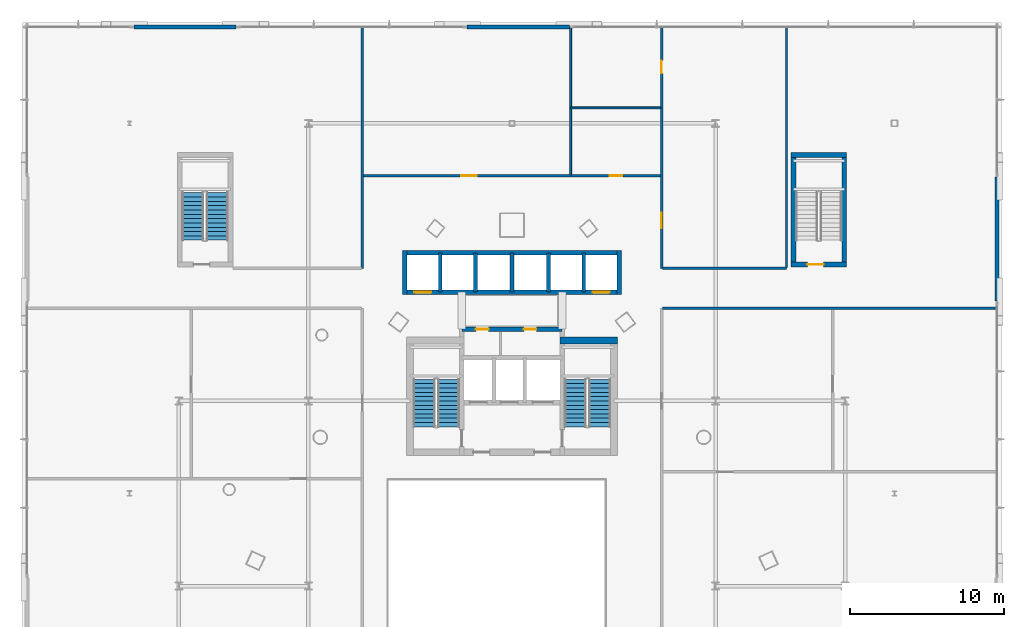
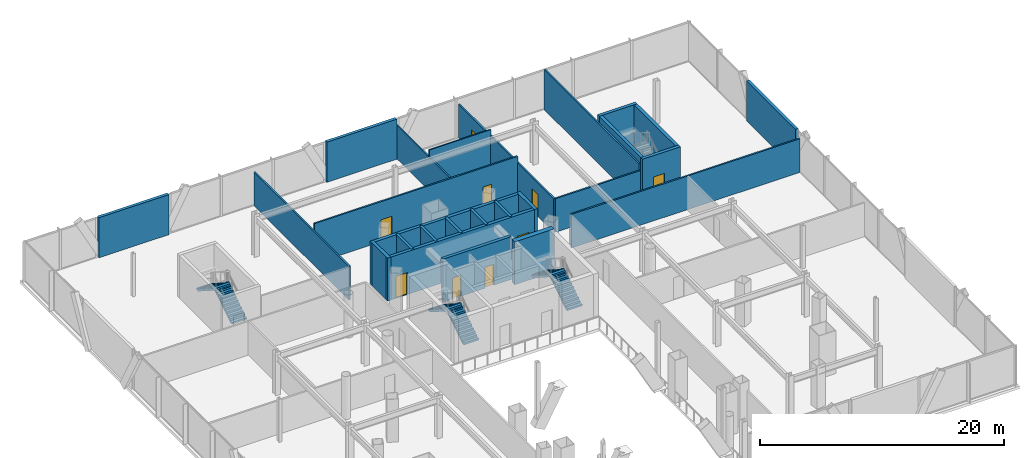
# One storey, part 34 of 42: 26 walls, 9 doors, 6 stair flights, 9 openings, 3 elements without a shape of their own.
"""IFC4 building model written with IfcOpenShell, lengths in metres."""

import ifcopenshell
import ifcopenshell.guid

model = None  # the IFC model being written
_history = None  # IfcOwnerHistory: only IFC2X3 demands one
_inside = {}  # id of a spatial element -> (the spatial element, [elements in it])
_under = {}  # id of a project, library or spatial element -> (it, [spatial elements below it])
_declared = {}  # id of a project -> (the project, [libraries it declares])
_typed = {}  # id of a type object -> (the type object, [elements of that type])
_made_of = {}  # id of a material, layer set ... -> (it, [elements and type objects made of it])


def new_model(schema):
    """Start an empty IFC model of exactly this schema.

    Asked for "IFC4X3", IfcOpenShell would pick the latest addendum, in which some entities
    have other attributes; the version numbers below select the first issue.
    IFC2X3 requires an IfcOwnerHistory on every rooted entity: one is made here for all.
    """
    global model, _history
    if schema == "IFC4X3":
        model = ifcopenshell.file(schema_version=(4, 3, 0, 0))
    else:
        model = ifcopenshell.file(schema=schema)
    _inside.clear()
    _under.clear()
    _declared.clear()
    _typed.clear()
    _made_of.clear()
    _history = None
    if model.schema == "IFC2X3":
        org = make("IfcOrganization", Name="unknown")
        user = make(
            "IfcPersonAndOrganization",
            ThePerson=make("IfcPerson", FamilyName="unknown"),
            TheOrganization=org,
        )
        app = make(
            "IfcApplication",
            ApplicationDeveloper=org,
            Version="unknown",
            ApplicationFullName="unknown",
            ApplicationIdentifier="unknown",
        )
        _history = make(
            "IfcOwnerHistory",
            OwningUser=user,
            OwningApplication=app,
            ChangeAction="ADDED",
            CreationDate=0,
        )
    return model


def make(cls, **values):
    """One entity of the class cls with the attributes given. An attribute that is None is left unset."""
    return model.create_entity(
        cls, **{name: value for name, value in values.items() if value is not None}
    )


def rooted(cls, **values):
    """An entity with a GlobalId (a new one), such as an element, a storey or a relation."""
    return make(cls, GlobalId=ifcopenshell.guid.new(), OwnerHistory=_history, **values)


def si_unit(unit_type, name, prefix=None):
    """IfcSIUnit, for example si_unit("LENGTHUNIT", "METRE", prefix="MILLI")."""
    return make("IfcSIUnit", UnitType=unit_type, Prefix=prefix, Name=name)


def assignment(units):
    """IfcUnitAssignment: the units of a project."""
    return None if units is None else make("IfcUnitAssignment", Units=units)


def point(xyz):
    """IfcCartesianPoint."""
    return None if xyz is None else make("IfcCartesianPoint", Coordinates=xyz)


def direction(xyz):
    """IfcDirection."""
    return None if xyz is None else make("IfcDirection", DirectionRatios=xyz)


def frame(location, z_axis=None, x_axis=None):
    """IfcAxis2Placement3D, a coordinate frame: its origin and axes. An axis left out is left unset."""
    return make(
        "IfcAxis2Placement3D",
        Location=point(location),
        Axis=direction(z_axis),
        RefDirection=direction(x_axis),
    )


def frame_2d(location, x_axis=None):
    """IfcAxis2Placement2D, a coordinate frame in the plane: its origin and x axis."""
    return make(
        "IfcAxis2Placement2D", Location=point(location), RefDirection=direction(x_axis)
    )


def origin():
    """The frame at (0, 0, 0) with its axes left unset."""
    return frame((0.0, 0.0, 0.0))


def place(relative_to, where):
    """IfcLocalPlacement: puts the frame where relative to a parent placement (None: the world)."""
    return make(
        "IfcLocalPlacement", PlacementRelTo=relative_to, RelativePlacement=where
    )


def context(
    kind, dimensions, precision=None, world=None, true_north=None, identifier=None
):
    """IfcGeometricRepresentationContext, for example the 3D "Model" context."""
    return make(
        "IfcGeometricRepresentationContext",
        ContextIdentifier=identifier,
        ContextType=kind,
        CoordinateSpaceDimension=dimensions,
        Precision=precision,
        WorldCoordinateSystem=world,
        TrueNorth=true_north,
    )


def subcontext(parent, identifier, kind, view, scale=None):
    """IfcGeometricRepresentationSubContext, for example "Body" below "Model"."""
    return make(
        "IfcGeometricRepresentationSubContext",
        ContextIdentifier=identifier,
        ContextType=kind,
        ParentContext=parent,
        TargetScale=scale,
        TargetView=view,
    )


def project(units=None, contexts=None):
    """IfcProject with its units and contexts."""
    return rooted(
        "IfcProject",
        Name="project",
        RepresentationContexts=contexts,
        UnitsInContext=assignment(units),
    )


def spatial(cls, under=None, at=None, **own):
    """A site, building, storey or space (cls), placed at a placement, below another one or the project."""
    s = rooted(cls, ObjectPlacement=at, **own)
    if under is not None:
        _under.setdefault(under.id(), (under, []))[1].append(s)
    return s


def polyline(points):
    """IfcPolyline through the points."""
    return make("IfcPolyline", Points=[point(p) for p in points])


def profile(cls, at=None, kind="AREA", **sizes):
    """A parametric profile (cls). Its sizes go by their IFC names, for example OverallWidth=200.0."""
    return make(cls, ProfileType=kind, Position=at, **sizes)


def rectangle(**sizes):
    """IfcRectangleProfileDef."""
    return profile("IfcRectangleProfileDef", **sizes)


def outline(outer, holes=None, kind="AREA"):
    """IfcArbitraryClosedProfileDef: a profile drawn as a closed curve; with holes, ...WithVoids."""
    if holes is None:
        return make("IfcArbitraryClosedProfileDef", ProfileType=kind, OuterCurve=outer)
    return make(
        "IfcArbitraryProfileDefWithVoids",
        ProfileType=kind,
        OuterCurve=outer,
        InnerCurves=holes,
    )


def extrude(swept, where, along, depth):
    """IfcExtrudedAreaSolid: the profile swept, set in the frame where, extruded along a direction by depth."""
    return make(
        "IfcExtrudedAreaSolid",
        SweptArea=swept,
        Position=where,
        ExtrudedDirection=direction(along),
        Depth=depth,
    )


def shape(context_of_items, identifier, shape_type, items):
    """IfcShapeRepresentation: the items that make up one representation, for example the "Body"."""
    return make(
        "IfcShapeRepresentation",
        ContextOfItems=context_of_items,
        RepresentationIdentifier=identifier,
        RepresentationType=shape_type,
        Items=items,
    )


def material(Name=None, Category=None):
    """IfcMaterial."""
    return make("IfcMaterial", Name=Name, Category=Category)


def layer(
    of_material, thickness, ventilated=None, Name=None, Category=None, Priority=None
):
    """IfcMaterialLayer: one layer of a wall or slab, of a material (None: an air gap)."""
    return make(
        "IfcMaterialLayer",
        Material=of_material,
        LayerThickness=thickness,
        IsVentilated=ventilated,
        Name=Name,
        Category=Category,
        Priority=Priority,
    )


def layer_set(layers, Name=None):
    """IfcMaterialLayerSet."""
    return make("IfcMaterialLayerSet", MaterialLayers=layers, LayerSetName=Name)


def made_of(thing, what):
    """Note that an element or type object is made of a material, layer set ...; save() writes the relation."""
    if what is not None:
        _made_of.setdefault(what.id(), (what, []))[1].append(thing)
    return thing


def type_object(cls, material=None, **own):
    """A type object (cls), such as IfcWallType, which elements share."""
    return made_of(rooted(cls, **own), material)


def element(
    cls,
    number,
    at=None,
    inside=None,
    cuts=None,
    type_object=None,
    material=None,
    context=None,
    identifier="Body",
    shape_type=None,
    held_by="IfcProductDefinitionShape",
    body=None,
    shapes=None,
    **own,
):
    """One element of the class cls, such as IfcWall. Its Tag is "e" and its number.

    at: its placement. inside: the storey or other place that contains it. cuts: it is an
    opening in that element (IfcRelVoidsElement). A single representation is given by context,
    identifier, shape_type and body (its items); several are given by shapes. held_by: the class
    of the entity that holds the representations. save() writes the other relations.
    """
    e = rooted(cls, Tag="e%d" % number, ObjectPlacement=at, **own)
    if body is not None:
        shapes = [shape(context, identifier, shape_type, body)]
    if shapes is not None:
        e.Representation = make(held_by, Representations=shapes)
    if inside is not None:
        _inside.setdefault(inside.id(), (inside, []))[1].append(e)
    if cuts is not None:
        rooted(
            "IfcRelVoidsElement", RelatingBuildingElement=cuts, RelatedOpeningElement=e
        )
    if type_object is not None:
        _typed.setdefault(type_object.id(), (type_object, []))[1].append(e)
    return made_of(e, material)


def fill(opening, filler):
    """IfcRelFillsElement: the door or window that sits in an opening."""
    return rooted(
        "IfcRelFillsElement",
        RelatingOpeningElement=opening,
        RelatedBuildingElement=filler,
    )


def aggregate(whole, parts):
    """IfcRelAggregates: a whole, such as a stair, and the parts it consists of."""
    return rooted("IfcRelAggregates", RelatingObject=whole, RelatedObjects=parts)


def save(model, path):
    """Write the relations noted so far, then the file.

    IfcRelAggregates (storeys below a building ...), IfcRelContainedInSpatialStructure (elements
    in a storey), IfcRelDefinesByType, IfcRelAssociatesMaterial and IfcRelDeclares: one each for
    every whole, place, type object, material and project.
    """
    for whole, parts in _under.values():
        aggregate(whole, parts)
    for where, things in _inside.values():
        rooted(
            "IfcRelContainedInSpatialStructure",
            RelatedElements=things,
            RelatingStructure=where,
        )
    for kind, things in _typed.values():
        rooted("IfcRelDefinesByType", RelatedObjects=things, RelatingType=kind)
    for what, things in _made_of.values():
        rooted("IfcRelAssociatesMaterial", RelatedObjects=things, RelatingMaterial=what)
    for by, libraries in _declared.values():
        rooted("IfcRelDeclares", RelatingContext=by, RelatedDefinitions=libraries)
    model.write(path)


model = new_model("IFC4")

# Units and contexts
model_context = context("Model", 3, precision=1e-05, world=origin(), true_north=direction((0.0, 1.0)))
body_context = subcontext(model_context, "Body", "Model", "MODEL_VIEW")
ifc_project = project(units=[si_unit("LENGTHUNIT", "METRE"), si_unit("AREAUNIT", "SQUARE_METRE"), si_unit("VOLUMEUNIT", "CUBIC_METRE"), si_unit("PLANEANGLEUNIT", "RADIAN"), si_unit("MASSUNIT", "GRAM", prefix="KILO")], contexts=[model_context])

# Site, building, storey
site_placement = place(None, origin())
site = spatial("IfcSite", under=ifc_project, at=site_placement, CompositionType="ELEMENT")
building_placement = place(site_placement, origin())
building = spatial("IfcBuilding", under=site, at=building_placement, Name="Orvanel Arch Residences", CompositionType="ELEMENT")
storey_placement = place(building_placement, frame((0.0, 0.0, 5.5)))
storey = spatial("IfcBuildingStorey", under=building, at=storey_placement, Name="L01", CompositionType="ELEMENT", Elevation=5.5)

# Walls
ifc_material_1 = material(Name="Precast concrete N50 (50 MPa)", Category="concrete")
ifc_layer_1 = layer(ifc_material_1, 0.280029296875)
ifc_layer_set_1 = layer_set([ifc_layer_1], Name="Precast concrete N50 (50 MPa)")
wall_type_1 = type_object("IfcWallType", Name="EW-POD-280", PredefinedType="SOLIDWALL", material=ifc_layer_set_1)
wall_1_placement = place(storey_placement, frame((8.47998046875, 54.25, 0.0), z_axis=(0.0, 0.0, 1.0), x_axis=(1.0, 0.0, 0.0)))
element("IfcWall", 1, at=wall_1_placement, inside=storey, type_object=wall_type_1, Name="L01 Podium Solid North Panel Wall NP1", PredefinedType="SOLIDWALL", context=body_context, shape_type="SweptSolid", body=[
    extrude(rectangle(XDim=6.64013671875, YDim=0.280029296875, at=frame_2d((3.320068359375, 0.0))), origin(), (0.0, 0.0, 1.0), 4.02001953125),
])
wall_2_placement = place(storey_placement, frame((30.080078125, 54.25, 0.0), z_axis=(0.0, 0.0, 1.0), x_axis=(1.0, 0.0, 0.0)))
element("IfcWall", 2, at=wall_2_placement, inside=storey, type_object=wall_type_1, Name="L01 Podium Solid North Panel Wall NP2", PredefinedType="SOLIDWALL", context=body_context, shape_type="SweptSolid", body=[
    extrude(rectangle(XDim=6.639892578125, YDim=0.280029296875, at=frame_2d((3.31982421875, 0.0))), origin(), (0.0, 0.0, 1.0), 4.02001953125),
])
wall_3_placement = place(storey_placement, frame((64.449951171875, 36.47998046875, 0.0), z_axis=(0.0, 0.0, 1.0), x_axis=(0.0, 1.0, 0.0)))
element("IfcWall", 3, at=wall_3_placement, inside=storey, type_object=wall_type_1, Name="L01 Podium Solid E Panel Wall 2", PredefinedType="SOLIDWALL", context=body_context, shape_type="SweptSolid", body=[
    extrude(rectangle(XDim=8.0400390625, YDim=0.280029296875, at=frame_2d((4.02001953125, 0.0))), origin(), (0.0, 0.0, 1.0), 4.02001953125),
])
ifc_material_2 = material(Name="Concrete N50 (50 MPa)", Category="concrete")
ifc_layer_2 = layer(ifc_material_2, 0.25)
ifc_layer_set_2 = layer_set([ifc_layer_2], Name="Concrete N50 (50 MPa)")
wall_type_2 = type_object("IfcWallType", Name="SW-CORE-250", PredefinedType="SHEAR", material=ifc_layer_set_2)
for number, where, z_axis, x_axis, name in (
    (4, (28.35009765625, 37.050048828125, 0.0), (0.0, 0.0, 1.0), (0.0, 1.0, 0.0), "L01 Passenger Lift Inter-Shaft Wall P13"),
    (5, (30.625, 37.050048828125, 0.0), (0.0, 0.0, 1.0), (0.0, 1.0, 0.0), "L01 Passenger Lift Inter-Shaft Wall P35"),
    (6, (33.0, 37.050048828125, 0.0), (0.0, 0.0, 1.0), (0.0, 1.0, 0.0), "L01 Passenger Lift Inter-Shaft Wall P56"),
    (7, (35.375, 37.050048828125, 0.0), (0.0, 0.0, 1.0), (0.0, 1.0, 0.0), "L01 Passenger Lift Inter-Shaft Wall P64"),
    (8, (37.64990234375, 37.050048828125, 0.0), (0.0, 0.0, 1.0), (0.0, 1.0, 0.0), "L01 Passenger Lift Inter-Shaft Wall P42"),
):
    element("IfcWall", number, at=place(storey_placement, frame(where, z_axis=z_axis, x_axis=x_axis)), inside=storey, type_object=wall_type_2, Name=name, PredefinedType="SHEAR", context=body_context, shape_type="SweptSolid", body=[
        extrude(rectangle(XDim=2.550048828125, YDim=0.25, at=frame_2d((1.27490234375, 0.0))), origin(), (0.0, 0.0, 1.0), 4.300048828125),
    ])

# Wall, openings, doors
ifc_material_3 = material(Name="Concrete S80 (80 MPa)", Category="concrete")
ifc_layer_3 = layer(ifc_material_3, 0.300048828125)
ifc_layer_set_3 = layer_set([ifc_layer_3], Name="Concrete S80 (80 MPa)")
wall_type_3 = type_object("IfcWallType", Name="SW-CORE-300", PredefinedType="SHEAR", material=ifc_layer_set_3)
wall_4_placement = place(storey_placement, frame((29.75, 34.64990234375, 0.0), z_axis=(0.0, 0.0, 1.0), x_axis=(1.0, 0.0, 0.0)))
wall_4 = element("IfcWall", 9, at=wall_4_placement, inside=storey, type_object=wall_type_3, Name="L01 Core Service Band North Shear Wall", PredefinedType="SHEAR", context=body_context, shape_type="SweptSolid", body=[
    extrude(rectangle(XDim=6.5, YDim=0.300048828125, at=frame_2d((3.25, 0.0))), origin(), (0.0, 0.0, 1.0), 4.300048828125),
])
opening_1_placement = place(wall_4_placement, frame((0.9150390625, 0.0, 0.0)))
opening_1 = element("IfcOpeningElement", 10, at=opening_1_placement, cuts=wall_4, Name="Opening DS-082", PredefinedType="OPENING", context=body_context, shape_type="SweptSolid", body=[
    extrude(rectangle(XDim=0.820068359375, YDim=2.10009765625, at=frame_2d((0.41015625, 1.050048828125))), frame((0.0, 0.159912109375, 0.0), z_axis=(0.0, -1.0, 0.0), x_axis=(1.0, 0.0, 0.0)), (0.0, 0.0, 1.0), 0.320068359375),
])
opening_2_placement = place(wall_4_placement, frame((4.014892578125, 0.0, 0.0)))
opening_2 = element("IfcOpeningElement", 11, at=opening_2_placement, cuts=wall_4, Name="Opening DW-082", PredefinedType="OPENING", context=body_context, shape_type="SweptSolid", body=[
    extrude(rectangle(XDim=0.820068359375, YDim=2.10009765625, at=frame_2d((0.41015625, 1.050048828125))), frame((0.0, 0.159912109375, 0.0), z_axis=(0.0, -1.0, 0.0), x_axis=(1.0, 0.0, 0.0)), (0.0, 0.0, 1.0), 0.320068359375),
])
ifc_material_4 = material(Name="Galvanised steel fire-resisting door assembly", Category="steel")
door_type_1 = type_object("IfcDoorType", Name="DR-SVC-820", OperationType="NOTDEFINED", PredefinedType="DOOR", material=ifc_material_4)
door_1_placement = place(opening_1_placement, origin())
door_1 = element("IfcDoor", 12, at=door_1_placement, inside=storey, type_object=door_type_1, Name="DR-L01-CSVC-1 L01 Floor Cleaner's Store Door", OperationType="SINGLE_SWING_LEFT", OverallHeight=2.10009765625, OverallWidth=0.820068359375, PredefinedType="DOOR", context=body_context, shape_type="SweptSolid", body=[
    extrude(rectangle(XDim=0.820068359375, YDim=2.10009765625, at=frame_2d((0.41015625, 1.050048828125))), frame((0.0, 0.02490234375, 0.0), z_axis=(0.0, -1.0, 0.0), x_axis=(1.0, 0.0, 0.0)), (0.0, 0.0, 1.0), 0.050048828125),
])
fill(opening_1, door_1)
ifc_material_5 = material(Name="Solid-core European oak veneer fire door leaf", Category="wood")
door_type_2 = type_object("IfcDoorType", Name="DR-WET-820", OperationType="NOTDEFINED", PredefinedType="DOOR", material=ifc_material_5)
door_2_placement = place(opening_2_placement, origin())
door_2 = element("IfcDoor", 13, at=door_2_placement, inside=storey, type_object=door_type_2, Name="DR-L01-CSVC-2 L01 Core Accessible WC Door", OperationType="SINGLE_SWING_LEFT", OverallHeight=2.10009765625, OverallWidth=0.820068359375, PredefinedType="DOOR", context=body_context, shape_type="SweptSolid", body=[
    extrude(rectangle(XDim=0.820068359375, YDim=2.10009765625, at=frame_2d((0.41015625, 1.050048828125))), frame((0.0, 0.02490234375, 0.0), z_axis=(0.0, -1.0, 0.0), x_axis=(1.0, 0.0, 0.0)), (0.0, 0.0, 1.0), 0.050048828125),
])
fill(opening_2, door_2)

wall_5_placement = place(storey_placement, frame((40.10009765625, 37.050048828125, 0.0), z_axis=(0.0, 0.0, 1.0), x_axis=(-1.0, 0.0, 0.0)))
wall_5 = element("IfcWall", 14, at=wall_5_placement, inside=storey, type_object=wall_type_3, Name="L01 Passenger Lift Bank Front Shear Wall", PredefinedType="SHEAR", context=body_context, shape_type="SweptSolid", body=[
    extrude(rectangle(XDim=14.2001953125, YDim=0.300048828125, at=frame_2d((7.10009765625, 0.0))), origin(), (0.0, 0.0, 1.0), 4.300048828125),
])
opening_3_placement = place(wall_5_placement, frame((12.324951171875, 0.0, 0.0)))
opening_3 = element("IfcOpeningElement", 15, at=opening_3_placement, cuts=wall_5, Name="Opening LD-110", PredefinedType="OPENING", context=body_context, shape_type="SweptSolid", body=[
    extrude(rectangle(XDim=1.10009765625, YDim=2.199951171875, at=frame_2d((0.550048828125, 1.10009765625))), frame((0.0, 0.159912109375, 0.0), z_axis=(0.0, -1.0, 0.0), x_axis=(1.0, 0.0, 0.0)), (0.0, 0.0, 1.0), 0.320068359375),
])
opening_4_placement = place(wall_5_placement, frame((0.77490234375, 0.0, 0.0)))
opening_4 = element("IfcOpeningElement", 16, at=opening_4_placement, cuts=wall_5, Name="Opening LD-110", PredefinedType="OPENING", context=body_context, shape_type="SweptSolid", body=[
    extrude(rectangle(XDim=1.10009765625, YDim=2.199951171875, at=frame_2d((0.550048828125, 1.10009765625))), frame((0.0, 0.159912109375, 0.0), z_axis=(0.0, -1.0, 0.0), x_axis=(1.0, 0.0, 0.0)), (0.0, 0.0, 1.0), 0.320068359375),
])
door_type_3 = type_object("IfcDoorType", Name="DR-LFT-1100", OperationType="NOTDEFINED", PredefinedType="DOOR", material=ifc_material_4)
door_3_placement = place(opening_3_placement, origin())
door_3 = element("IfcDoor", 17, at=door_3_placement, inside=storey, type_object=door_type_3, Name="LD-P1-L01 L01 Passenger Lift P1 Sliding Landing Door", OperationType="DOUBLE_DOOR_SLIDING", OverallHeight=2.199951171875, OverallWidth=1.10009765625, PredefinedType="DOOR", context=body_context, shape_type="SweptSolid", body=[
    extrude(rectangle(XDim=1.10009765625, YDim=2.199951171875, at=frame_2d((0.550048828125, 1.10009765625))), frame((0.0, 0.02490234375, 0.0), z_axis=(0.0, -1.0, 0.0), x_axis=(1.0, 0.0, 0.0)), (0.0, 0.0, 1.0), 0.050048828125),
])
fill(opening_3, door_3)
door_4_placement = place(opening_4_placement, origin())
door_4 = element("IfcDoor", 18, at=door_4_placement, inside=storey, type_object=door_type_3, Name="LD-P2-L01 L01 Passenger Lift P2 Sliding Landing Door", OperationType="DOUBLE_DOOR_SLIDING", OverallHeight=2.199951171875, OverallWidth=1.10009765625, PredefinedType="DOOR", context=body_context, shape_type="SweptSolid", body=[
    extrude(rectangle(XDim=1.10009765625, YDim=2.199951171875, at=frame_2d((0.550048828125, 1.10009765625))), frame((0.0, 0.02490234375, 0.0), z_axis=(0.0, -1.0, 0.0), x_axis=(1.0, 0.0, 0.0)), (0.0, 0.0, 1.0), 0.050048828125),
])
fill(opening_4, door_4)

# Walls
wall_6_placement = place(storey_placement, frame((25.89990234375, 39.60009765625, 0.0), z_axis=(0.0, 0.0, 1.0), x_axis=(1.0, 0.0, 0.0)))
element("IfcWall", 19, at=wall_6_placement, inside=storey, type_object=wall_type_3, Name="L01 Passenger Lift Bank North Shear Wall", PredefinedType="SHEAR", context=body_context, shape_type="SweptSolid", body=[
    extrude(rectangle(XDim=14.2001953125, YDim=0.300048828125, at=frame_2d((7.10009765625, 0.0))), origin(), (0.0, 0.0, 1.0), 4.300048828125),
])
for number, where, z_axis, x_axis, name in (
    (20, (26.050048828125, 36.89990234375, 0.0), (0.0, 0.0, 1.0), (0.0, 1.0, 0.0), "L01 Passenger Lift Bank West Shear Wall"),
    (21, (39.949951171875, 36.89990234375, 0.0), (0.0, 0.0, 1.0), (0.0, 1.0, 0.0), "L01 Passenger Lift Bank East Shear Wall"),
):
    element("IfcWall", number, at=place(storey_placement, frame(where, z_axis=z_axis, x_axis=x_axis)), inside=storey, type_object=wall_type_3, Name=name, PredefinedType="SHEAR", context=body_context, shape_type="SweptSolid", body=[
        extrude(rectangle(XDim=2.85009765625, YDim=0.300048828125, at=frame_2d((1.425048828125, 0.0))), origin(), (0.0, 0.0, 1.0), 4.300048828125),
    ])
for number, where, z_axis, x_axis, name in (
    (22, (51.25, 38.699951171875, 0.0), (0.0, 0.0, 1.0), (0.0, 1.0, 0.0), "L01 ST4 West Shear Wall"),
    (23, (54.550048828125, 38.699951171875, 0.0), (0.0, 0.0, 1.0), (0.0, 1.0, 0.0), "L01 ST4 East Shear Wall"),
):
    element("IfcWall", number, at=place(storey_placement, frame(where, z_axis=z_axis, x_axis=x_axis)), inside=storey, type_object=wall_type_3, Name=name, PredefinedType="SHEAR", context=body_context, shape_type="SweptSolid", body=[
        extrude(rectangle(XDim=7.400146484375, YDim=0.300048828125, at=frame_2d((3.7001953125, 0.0))), origin(), (0.0, 0.0, 1.0), 4.300048828125),
    ])
wall_7_placement = place(storey_placement, frame((51.10009765625, 45.949951171875, 0.0), z_axis=(0.0, 0.0, 1.0), x_axis=(1.0, 0.0, 0.0)))
element("IfcWall", 24, at=wall_7_placement, inside=storey, type_object=wall_type_3, Name="L01 ST4 North Shear Wall", PredefinedType="SHEAR", context=body_context, shape_type="SweptSolid", body=[
    extrude(rectangle(XDim=3.599853515625, YDim=0.300048828125, at=frame_2d((1.7998046875, 0.0))), origin(), (0.0, 0.0, 1.0), 4.300048828125),
])

# Wall, opening, door
wall_8_placement = place(storey_placement, frame((51.10009765625, 38.85009765625, 0.0), z_axis=(0.0, 0.0, 1.0), x_axis=(1.0, 0.0, 0.0)))
wall_8 = element("IfcWall", 25, at=wall_8_placement, inside=storey, type_object=wall_type_3, Name="L01 ST4 South Shear Wall", PredefinedType="SHEAR", context=body_context, shape_type="SweptSolid", body=[
    extrude(rectangle(XDim=3.599853515625, YDim=0.300048828125, at=frame_2d((1.7998046875, 0.0))), origin(), (0.0, 0.0, 1.0), 4.300048828125),
])
opening_5_placement = place(wall_8_placement, frame((1.050048828125, 0.0, 0.0)))
opening_5 = element("IfcOpeningElement", 26, at=opening_5_placement, cuts=wall_8, Name="Opening DF-120", PredefinedType="OPENING", context=body_context, shape_type="SweptSolid", body=[
    extrude(rectangle(XDim=1.050048828125, YDim=2.14990234375, at=frame_2d((0.52490234375, 1.074951171875))), frame((0.0, 0.159912109375, 0.0), z_axis=(0.0, -1.0, 0.0), x_axis=(1.0, 0.0, 0.0)), (0.0, 0.0, 1.0), 0.320068359375),
])
door_type_4 = type_object("IfcDoorType", Name="DR-FD120-1050", OperationType="NOTDEFINED", PredefinedType="DOOR", material=ifc_material_4)
door_5_placement = place(opening_5_placement, origin())
door_5 = element("IfcDoor", 27, at=door_5_placement, inside=storey, type_object=door_type_4, Name="DR-L01-ST4 L01 ST4 Exit Door", OperationType="SINGLE_SWING_LEFT", OverallHeight=2.14990234375, OverallWidth=1.050048828125, PredefinedType="DOOR", context=body_context, shape_type="SweptSolid", body=[
    extrude(rectangle(XDim=1.050048828125, YDim=2.14990234375, at=frame_2d((0.52490234375, 1.074951171875))), frame((0.0, 0.02490234375, 0.0), z_axis=(0.0, -1.0, 0.0), x_axis=(1.0, 0.0, 0.0)), (0.0, 0.0, 1.0), 0.050048828125),
])
fill(opening_5, door_5)

# Walls
ifc_layer_4 = layer(ifc_material_3, 0.449951171875)
ifc_layer_set_4 = layer_set([ifc_layer_4], Name="Concrete S80 (80 MPa)")
wall_type_4 = type_object("IfcWallType", Name="SW-CORE-450", PredefinedType="SHEAR", material=ifc_layer_set_4)
wall_9_placement = place(storey_placement, frame((36.10009765625, 33.925048828125, 0.0), z_axis=(0.0, 0.0, 1.0), x_axis=(1.0, 0.0, 0.0)))
element("IfcWall", 28, at=wall_9_placement, inside=storey, type_object=wall_type_4, Name="L01 East Stair North Shear Wall", PredefinedType="SHEAR", context=body_context, shape_type="SweptSolid", body=[
    extrude(rectangle(XDim=3.75, YDim=0.449951171875, at=frame_2d((1.875, 0.0))), origin(), (0.0, 0.0, 1.0), 4.300048828125),
])
ifc_material_6 = material(Name="Acoustic plasterboard lined twin-stud partition", Category="gypsum")
ifc_layer_5 = layer(ifc_material_6, 0.14990234375)
ifc_layer_set_5 = layer_set([ifc_layer_5], Name="Acoustic plasterboard lined twin-stud partition")
wall_type_5 = type_object("IfcWallType", Name="W-POD-150", PredefinedType="PARTITIONING", material=ifc_layer_set_5)
wall_10_placement = place(storey_placement, frame((42.760009765625, 36.0, 0.0), z_axis=(0.0, 0.0, 1.0), x_axis=(1.0, 0.0, 0.0)))
element("IfcWall", 29, at=wall_10_placement, inside=storey, type_object=wall_type_5, Name="L01 East Wing North Wall", PredefinedType="PARTITIONING", context=body_context, shape_type="SweptSolid", body=[
    extrude(rectangle(XDim=21.675048828125, YDim=0.14990234375, at=frame_2d((10.83740234375, 0.0))), origin(), (0.0, 0.0, 1.0), 3.373046875),
])
wall_11_placement = place(storey_placement, frame((23.300048828125, 38.60009765625, 0.0), z_axis=(0.0, 0.0, 1.0), x_axis=(0.0, 1.0, 0.0)))
element("IfcWall", 30, at=wall_11_placement, inside=storey, type_object=wall_type_5, Name="L01 W Outer Corridor Wall", PredefinedType="PARTITIONING", context=body_context, shape_type="SweptSolid", body=[
    extrude(rectangle(XDim=15.635009765625, YDim=0.14990234375, at=frame_2d((7.8173828125, 0.0))), origin(), (0.0, 0.0, 1.0), 3.373046875),
])

# Wall, openings, doors
wall_12_placement = place(storey_placement, frame((42.699951171875, 38.60009765625, 0.0), z_axis=(0.0, 0.0, 1.0), x_axis=(0.0, 1.0, 0.0)))
wall_12 = element("IfcWall", 31, at=wall_12_placement, inside=storey, type_object=wall_type_5, Name="L01 E Outer Corridor Wall", PredefinedType="PARTITIONING", context=body_context, shape_type="SweptSolid", body=[
    extrude(rectangle(XDim=15.635009765625, YDim=0.14990234375, at=frame_2d((7.8173828125, 0.0))), origin(), (0.0, 0.0, 1.0), 3.373046875),
])
opening_6_placement = place(wall_12_placement, frame((12.639892578125, 0.0, 0.0)))
opening_6 = element("IfcOpeningElement", 32, at=opening_6_placement, cuts=wall_12, Name="Opening DS-082", PredefinedType="OPENING", context=body_context, shape_type="SweptSolid", body=[
    extrude(rectangle(XDim=0.820068359375, YDim=2.10009765625, at=frame_2d((0.41015625, 1.050048828125))), frame((0.0, 0.0849609375, 0.0), z_axis=(0.0, -1.0, 0.0), x_axis=(1.0, 0.0, 0.0)), (0.0, 0.0, 1.0), 0.169921875),
])
opening_7_placement = place(wall_12_placement, frame((2.60009765625, 0.0, 0.0)))
opening_7 = element("IfcOpeningElement", 33, at=opening_7_placement, cuts=wall_12, Name="Opening DP-100", PredefinedType="OPENING", context=body_context, shape_type="SweptSolid", body=[
    extrude(rectangle(XDim=1.0, YDim=2.199951171875, at=frame_2d((0.5, 1.10009765625))), frame((0.0, 0.0849609375, 0.0), z_axis=(0.0, -1.0, 0.0), x_axis=(1.0, 0.0, 0.0)), (0.0, 0.0, 1.0), 0.169921875),
])
door_type_5 = type_object("IfcDoorType", Name="DR-POD-1000", OperationType="NOTDEFINED", PredefinedType="DOOR", material=ifc_material_5)
door_6_placement = place(opening_7_placement, origin())
door_6 = element("IfcDoor", 34, at=door_6_placement, inside=storey, type_object=door_type_5, Name="DR-L01-NE L01 Clinical Sterile Store Door", OperationType="SINGLE_SWING_LEFT", OverallHeight=2.199951171875, OverallWidth=1.0, PredefinedType="DOOR", context=body_context, shape_type="SweptSolid", body=[
    extrude(rectangle(XDim=1.0, YDim=2.199951171875, at=frame_2d((0.5, 1.10009765625))), frame((0.0, 0.02490234375, 0.0), z_axis=(0.0, -1.0, 0.0), x_axis=(1.0, 0.0, 0.0)), (0.0, 0.0, 1.0), 0.050048828125),
])
fill(opening_7, door_6)
door_7_placement = place(opening_6_placement, origin())
door_7 = element("IfcDoor", 35, at=door_7_placement, inside=storey, type_object=door_type_1, Name="DR-L01-JAN L01 Cleaners Door", OperationType="SINGLE_SWING_LEFT", OverallHeight=2.10009765625, OverallWidth=0.820068359375, PredefinedType="DOOR", context=body_context, shape_type="SweptSolid", body=[
    extrude(rectangle(XDim=0.820068359375, YDim=2.10009765625, at=frame_2d((0.41015625, 1.050048828125))), frame((0.0, 0.02490234375, 0.0), z_axis=(0.0, -1.0, 0.0), x_axis=(1.0, 0.0, 0.0)), (0.0, 0.0, 1.0), 0.050048828125),
])
fill(opening_6, door_7)

# Walls
wall_13_placement = place(storey_placement, frame((42.760009765625, 38.60009765625, 0.0), z_axis=(0.0, 0.0, 1.0), x_axis=(1.0, 0.0, 0.0)))
element("IfcWall", 36, at=wall_13_placement, inside=storey, type_object=wall_type_5, Name="L01 NE Suite South Wall", PredefinedType="PARTITIONING", context=body_context, shape_type="SweptSolid", body=[
    extrude(rectangle(XDim=8.0400390625, YDim=0.14990234375, at=frame_2d((4.02001953125, 0.0))), origin(), (0.0, 0.0, 1.0), 3.373046875),
])
wall_14_placement = place(storey_placement, frame((50.800048828125, 38.659912109375, 0.0), z_axis=(0.0, 0.0, 1.0), x_axis=(0.0, 1.0, 0.0)))
element("IfcWall", 37, at=wall_14_placement, inside=storey, type_object=wall_type_5, Name="L01 NE Suite East Wall", PredefinedType="PARTITIONING", context=body_context, shape_type="SweptSolid", body=[
    extrude(rectangle(XDim=15.5751953125, YDim=0.14990234375, at=frame_2d((7.78759765625, 0.0))), origin(), (0.0, 0.0, 1.0), 4.02001953125),
])

# Wall, openings, doors
wall_15_placement = place(storey_placement, frame((23.360107421875, 44.60009765625, 0.0), z_axis=(0.0, 0.0, 1.0), x_axis=(1.0, 0.0, 0.0)))
wall_15 = element("IfcWall", 38, at=wall_15_placement, inside=storey, type_object=wall_type_5, Name="L01 N Corridor Wall", PredefinedType="PARTITIONING", context=body_context, shape_type="SweptSolid", body=[
    extrude(rectangle(XDim=19.27978515625, YDim=0.14990234375, at=frame_2d((9.639892578125, 0.0))), origin(), (0.0, 0.0, 1.0), 4.02001953125),
])
opening_8_placement = place(wall_15_placement, frame((6.340087890625, 0.0, 0.0)))
opening_8 = element("IfcOpeningElement", 39, at=opening_8_placement, cuts=wall_15, Name="Opening DP-100", PredefinedType="OPENING", context=body_context, shape_type="SweptSolid", body=[
    extrude(rectangle(XDim=1.0, YDim=2.199951171875, at=frame_2d((0.5, 1.10009765625))), frame((0.0, 0.0849609375, 0.0), z_axis=(0.0, -1.0, 0.0), x_axis=(1.0, 0.0, 0.0)), (0.0, 0.0, 1.0), 0.169921875),
])
opening_9_placement = place(wall_15_placement, frame((15.97998046875, 0.0, 0.0)))
opening_9 = element("IfcOpeningElement", 40, at=opening_9_placement, cuts=wall_15, Name="Opening DW-082", PredefinedType="OPENING", context=body_context, shape_type="SweptSolid", body=[
    extrude(rectangle(XDim=0.820068359375, YDim=2.10009765625, at=frame_2d((0.41015625, 1.050048828125))), frame((0.0, 0.0849609375, 0.0), z_axis=(0.0, -1.0, 0.0), x_axis=(1.0, 0.0, 0.0)), (0.0, 0.0, 1.0), 0.169921875),
])
door_8_placement = place(opening_8_placement, origin())
door_8 = element("IfcDoor", 41, at=door_8_placement, inside=storey, type_object=door_type_5, Name="DR-L01-N L01 Diagnostic Imaging Suite Door", OperationType="SINGLE_SWING_LEFT", OverallHeight=2.199951171875, OverallWidth=1.0, PredefinedType="DOOR", context=body_context, shape_type="SweptSolid", body=[
    extrude(rectangle(XDim=1.0, YDim=2.199951171875, at=frame_2d((0.5, 1.10009765625))), frame((0.0, 0.02490234375, 0.0), z_axis=(0.0, -1.0, 0.0), x_axis=(1.0, 0.0, 0.0)), (0.0, 0.0, 1.0), 0.050048828125),
])
fill(opening_8, door_8)
door_9_placement = place(opening_9_placement, origin())
door_9 = element("IfcDoor", 42, at=door_9_placement, inside=storey, type_object=door_type_2, Name="DR-L01-WC L01 Accessible WC Door", OperationType="SINGLE_SWING_RIGHT", OverallHeight=2.10009765625, OverallWidth=0.820068359375, PredefinedType="DOOR", context=body_context, shape_type="SweptSolid", body=[
    extrude(rectangle(XDim=0.820068359375, YDim=2.10009765625, at=frame_2d((0.41015625, 1.050048828125))), frame((0.0, 0.02490234375, 0.0), z_axis=(0.0, -1.0, 0.0), x_axis=(1.0, 0.0, 0.0)), (0.0, 0.0, 1.0), 0.050048828125),
])
fill(opening_9, door_9)

# Walls
ifc_layer_6 = layer(ifc_material_6, 0.1201171875)
ifc_layer_set_6 = layer_set([ifc_layer_6], Name="Acoustic plasterboard lined twin-stud partition")
wall_type_6 = type_object("IfcWallType", Name="W-WET-120", PredefinedType="PARTITIONING", material=ifc_layer_set_6)
wall_16_placement = place(storey_placement, frame((36.800048828125, 44.659912109375, 0.0), z_axis=(0.0, 0.0, 1.0), x_axis=(0.0, 1.0, 0.0)))
element("IfcWall", 43, at=wall_16_placement, inside=storey, type_object=wall_type_6, Name="L01 WC West Wall", PredefinedType="PARTITIONING", context=body_context, shape_type="SweptSolid", body=[
    extrude(rectangle(XDim=9.5751953125, YDim=0.1201171875, at=frame_2d((4.78759765625, 0.0))), origin(), (0.0, 0.0, 1.0), 3.373046875),
])
wall_17_placement = place(storey_placement, frame((36.800048828125, 49.0, 0.0), z_axis=(0.0, 0.0, 1.0), x_axis=(1.0, 0.0, 0.0)))
element("IfcWall", 44, at=wall_17_placement, inside=storey, type_object=wall_type_6, Name="L01 WC North Wall", PredefinedType="PARTITIONING", context=body_context, shape_type="SweptSolid", body=[
    extrude(rectangle(XDim=5.83984375, YDim=0.1201171875, at=frame_2d((2.919921875, 0.0))), origin(), (0.0, 0.0, 1.0), 4.02001953125),
])

# Stair, stair flights
stair_type = type_object("IfcStairType", Name="STR-DOG-178", PredefinedType="USERDEFINED", material=ifc_material_1)
stair_1_placement = place(storey_placement, origin())
stair_1 = element("IfcStair", 45, at=stair_1_placement, inside=storey, type_object=stair_type, Name="L01 Fire-Isolated Core Exit Stair 1", ObjectType="TWO_RETURN_STAIR", PredefinedType="USERDEFINED")
stair_flight_type_1 = type_object("IfcStairFlightType", Name="SFL-C1-178", PredefinedType="STRAIGHT", material=ifc_material_1)
stair_flight_1_placement = place(storey_placement, frame((28.889892578125, 28.320068359375, 0.0), z_axis=(0.0, 0.0, 1.0), x_axis=(0.0, 1.0, 0.0)))
stair_flight_1 = element("IfcStairFlight", 46, at=stair_flight_1_placement, type_object=stair_flight_type_1, Name="ST-1 flight 1", NumberOfRisers=12, NumberOfTreads=11, PredefinedType="STRAIGHT", RiserHeight=0.179166667, TreadLength=0.28, context=body_context, shape_type="SweptSolid", body=[
    extrude(outline(polyline([(0.0, 0.0), (0.0, 0.17919921875), (0.280029296875, 0.17919921875), (0.280029296875, 0.3583984375), (0.56005859375, 0.3583984375), (0.56005859375, 0.53759765625), (0.840087890625, 0.53759765625), (0.840087890625, 0.716552734375), (1.1201171875, 0.716552734375), (1.1201171875, 0.895751953125), (1.39990234375, 0.895751953125), (1.39990234375, 1.074951171875), (1.679931640625, 1.074951171875), (1.679931640625, 1.254150390625), (1.9599609375, 1.254150390625), (1.9599609375, 1.433349609375), (2.239990234375, 1.433349609375), (2.239990234375, 1.612548828125), (2.52001953125, 1.612548828125), (2.52001953125, 1.791748046875), (2.800048828125, 1.791748046875), (2.800048828125, 1.970947265625), (3.080078125, 1.970947265625), (3.080078125, 2.14990234375), (3.080078125, 1.79296875), (0.278076171875, 0.0), (0.0, 0.0)])), frame((0.0, 0.7099609375, 0.0), z_axis=(0.0, -1.0, 0.0), x_axis=(1.0, 0.0, 0.0)), (0.0, 0.0, 1.0), 1.419921875),
])
stair_flight_2_placement = place(storey_placement, frame((27.31005859375, 31.39990234375, 2.14990234375), z_axis=(0.0, 0.0, 1.0), x_axis=(0.0, -1.0, 0.0)))
stair_flight_2 = element("IfcStairFlight", 47, at=stair_flight_2_placement, type_object=stair_flight_type_1, Name="ST-1 flight 2", NumberOfRisers=12, NumberOfTreads=11, PredefinedType="STRAIGHT", RiserHeight=0.179166667, TreadLength=0.28, context=body_context, shape_type="SweptSolid", body=[
    extrude(outline(polyline([(0.0, 0.0), (0.0, 0.17919921875), (0.280029296875, 0.17919921875), (0.280029296875, 0.3583984375), (0.56005859375, 0.3583984375), (0.56005859375, 0.53759765625), (0.840087890625, 0.53759765625), (0.840087890625, 0.716552734375), (1.1201171875, 0.716552734375), (1.1201171875, 0.895751953125), (1.39990234375, 0.895751953125), (1.39990234375, 1.074951171875), (1.679931640625, 1.074951171875), (1.679931640625, 1.254150390625), (1.9599609375, 1.254150390625), (1.9599609375, 1.433349609375), (2.239990234375, 1.433349609375), (2.239990234375, 1.612548828125), (2.52001953125, 1.612548828125), (2.52001953125, 1.791748046875), (2.800048828125, 1.791748046875), (2.800048828125, 1.970947265625), (3.080078125, 1.970947265625), (3.080078125, 2.14990234375), (3.080078125, 1.79296875), (0.278076171875, 0.0), (0.0, 0.0)])), frame((0.0, 0.7099609375, 0.0), z_axis=(0.0, -1.0, 0.0), x_axis=(1.0, 0.0, 0.0)), (0.0, 0.0, 1.0), 1.419921875),
])
aggregate(stair_1, [stair_flight_1, stair_flight_2])

stair_2_placement = place(storey_placement, origin())
stair_2 = element("IfcStair", 48, at=stair_2_placement, inside=storey, type_object=stair_type, Name="L01 Fire-Isolated Core Exit Stair 2", ObjectType="TWO_RETURN_STAIR", PredefinedType="USERDEFINED")
stair_flight_type_2 = type_object("IfcStairFlightType", Name="SFL-C2-178", PredefinedType="STRAIGHT", material=ifc_material_1)
stair_flight_3_placement = place(storey_placement, frame((38.68994140625, 28.320068359375, 0.0), z_axis=(0.0, 0.0, 1.0), x_axis=(0.0, 1.0, 0.0)))
stair_flight_3 = element("IfcStairFlight", 49, at=stair_flight_3_placement, type_object=stair_flight_type_2, Name="ST-2 flight 1", NumberOfRisers=12, NumberOfTreads=11, PredefinedType="STRAIGHT", RiserHeight=0.179166667, TreadLength=0.28, context=body_context, shape_type="SweptSolid", body=[
    extrude(outline(polyline([(0.0, 0.0), (0.0, 0.17919921875), (0.280029296875, 0.17919921875), (0.280029296875, 0.3583984375), (0.56005859375, 0.3583984375), (0.56005859375, 0.53759765625), (0.840087890625, 0.53759765625), (0.840087890625, 0.716552734375), (1.1201171875, 0.716552734375), (1.1201171875, 0.895751953125), (1.39990234375, 0.895751953125), (1.39990234375, 1.074951171875), (1.679931640625, 1.074951171875), (1.679931640625, 1.254150390625), (1.9599609375, 1.254150390625), (1.9599609375, 1.433349609375), (2.239990234375, 1.433349609375), (2.239990234375, 1.612548828125), (2.52001953125, 1.612548828125), (2.52001953125, 1.791748046875), (2.800048828125, 1.791748046875), (2.800048828125, 1.970947265625), (3.080078125, 1.970947265625), (3.080078125, 2.14990234375), (3.080078125, 1.79296875), (0.278076171875, 0.0), (0.0, 0.0)])), frame((0.0, 0.7099609375, 0.0), z_axis=(0.0, -1.0, 0.0), x_axis=(1.0, 0.0, 0.0)), (0.0, 0.0, 1.0), 1.419921875),
])
stair_flight_4_placement = place(storey_placement, frame((37.110107421875, 31.39990234375, 2.14990234375), z_axis=(0.0, 0.0, 1.0), x_axis=(0.0, -1.0, 0.0)))
stair_flight_4 = element("IfcStairFlight", 50, at=stair_flight_4_placement, type_object=stair_flight_type_2, Name="ST-2 flight 2", NumberOfRisers=12, NumberOfTreads=11, PredefinedType="STRAIGHT", RiserHeight=0.179166667, TreadLength=0.28, context=body_context, shape_type="SweptSolid", body=[
    extrude(outline(polyline([(0.0, 0.0), (0.0, 0.17919921875), (0.280029296875, 0.17919921875), (0.280029296875, 0.3583984375), (0.56005859375, 0.3583984375), (0.56005859375, 0.53759765625), (0.840087890625, 0.53759765625), (0.840087890625, 0.716552734375), (1.1201171875, 0.716552734375), (1.1201171875, 0.895751953125), (1.39990234375, 0.895751953125), (1.39990234375, 1.074951171875), (1.679931640625, 1.074951171875), (1.679931640625, 1.254150390625), (1.9599609375, 1.254150390625), (1.9599609375, 1.433349609375), (2.239990234375, 1.433349609375), (2.239990234375, 1.612548828125), (2.52001953125, 1.612548828125), (2.52001953125, 1.791748046875), (2.800048828125, 1.791748046875), (2.800048828125, 1.970947265625), (3.080078125, 1.970947265625), (3.080078125, 2.14990234375), (3.080078125, 1.79296875), (0.278076171875, 0.0), (0.0, 0.0)])), frame((0.0, 0.7099609375, 0.0), z_axis=(0.0, -1.0, 0.0), x_axis=(1.0, 0.0, 0.0)), (0.0, 0.0, 1.0), 1.419921875),
])
aggregate(stair_2, [stair_flight_3, stair_flight_4])

stair_3_placement = place(storey_placement, origin())
stair_3 = element("IfcStair", 51, at=stair_3_placement, inside=storey, type_object=stair_type, Name="L01 West Podium Fire-Isolated Exit Stair 3", ObjectType="TWO_RETURN_STAIR", PredefinedType="USERDEFINED")
stair_flight_type_3 = type_object("IfcStairFlightType", Name="SFL-C3-178", PredefinedType="STRAIGHT", material=ifc_material_1)
stair_flight_5_placement = place(storey_placement, frame((13.889892578125, 40.419921875, 0.0), z_axis=(0.0, 0.0, 1.0), x_axis=(0.0, 1.0, 0.0)))
stair_flight_5 = element("IfcStairFlight", 52, at=stair_flight_5_placement, type_object=stair_flight_type_3, Name="ST-3 flight 1", NumberOfRisers=12, NumberOfTreads=11, PredefinedType="STRAIGHT", RiserHeight=0.179166667, TreadLength=0.28, context=body_context, shape_type="SweptSolid", body=[
    extrude(outline(polyline([(0.0, 0.0), (0.0, 0.17919921875), (0.280029296875, 0.17919921875), (0.280029296875, 0.3583984375), (0.56005859375, 0.3583984375), (0.56005859375, 0.53759765625), (0.840087890625, 0.53759765625), (0.840087890625, 0.716552734375), (1.1201171875, 0.716552734375), (1.1201171875, 0.895751953125), (1.39990234375, 0.895751953125), (1.39990234375, 1.074951171875), (1.679931640625, 1.074951171875), (1.679931640625, 1.254150390625), (1.9599609375, 1.254150390625), (1.9599609375, 1.433349609375), (2.239990234375, 1.433349609375), (2.239990234375, 1.612548828125), (2.52001953125, 1.612548828125), (2.52001953125, 1.791748046875), (2.800048828125, 1.791748046875), (2.800048828125, 1.970947265625), (3.080078125, 1.970947265625), (3.080078125, 2.14990234375), (3.080078125, 1.79296875), (0.278076171875, 0.0), (0.0, 0.0)])), frame((0.0, 0.7099609375, 0.0), z_axis=(0.0, -1.0, 0.0), x_axis=(1.0, 0.0, 0.0)), (0.0, 0.0, 1.0), 1.419921875),
])
stair_flight_6_placement = place(storey_placement, frame((12.31005859375, 43.5, 2.14990234375), z_axis=(0.0, 0.0, 1.0), x_axis=(0.0, -1.0, 0.0)))
stair_flight_6 = element("IfcStairFlight", 53, at=stair_flight_6_placement, type_object=stair_flight_type_3, Name="ST-3 flight 2", NumberOfRisers=12, NumberOfTreads=11, PredefinedType="STRAIGHT", RiserHeight=0.179166667, TreadLength=0.28, context=body_context, shape_type="SweptSolid", body=[
    extrude(outline(polyline([(0.0, 0.0), (0.0, 0.17919921875), (0.280029296875, 0.17919921875), (0.280029296875, 0.3583984375), (0.56005859375, 0.3583984375), (0.56005859375, 0.53759765625), (0.840087890625, 0.53759765625), (0.840087890625, 0.716552734375), (1.1201171875, 0.716552734375), (1.1201171875, 0.895751953125), (1.39990234375, 0.895751953125), (1.39990234375, 1.074951171875), (1.679931640625, 1.074951171875), (1.679931640625, 1.254150390625), (1.9599609375, 1.254150390625), (1.9599609375, 1.433349609375), (2.239990234375, 1.433349609375), (2.239990234375, 1.612548828125), (2.52001953125, 1.612548828125), (2.52001953125, 1.791748046875), (2.800048828125, 1.791748046875), (2.800048828125, 1.970947265625), (3.080078125, 1.970947265625), (3.080078125, 2.14990234375), (3.080078125, 1.79296875), (0.278076171875, 0.0), (0.0, 0.0)])), frame((0.0, 0.7099609375, 0.0), z_axis=(0.0, -1.0, 0.0), x_axis=(1.0, 0.0, 0.0)), (0.0, 0.0, 1.0), 1.419921875),
])
aggregate(stair_3, [stair_flight_5, stair_flight_6])

save(model, "model.ifc")
